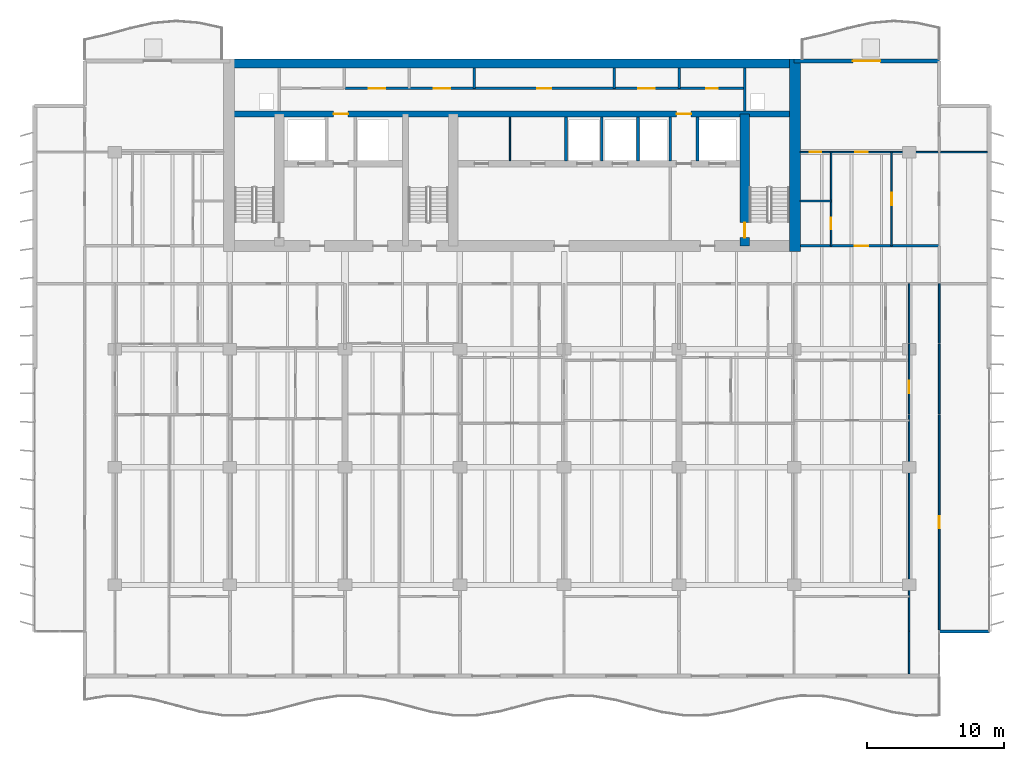
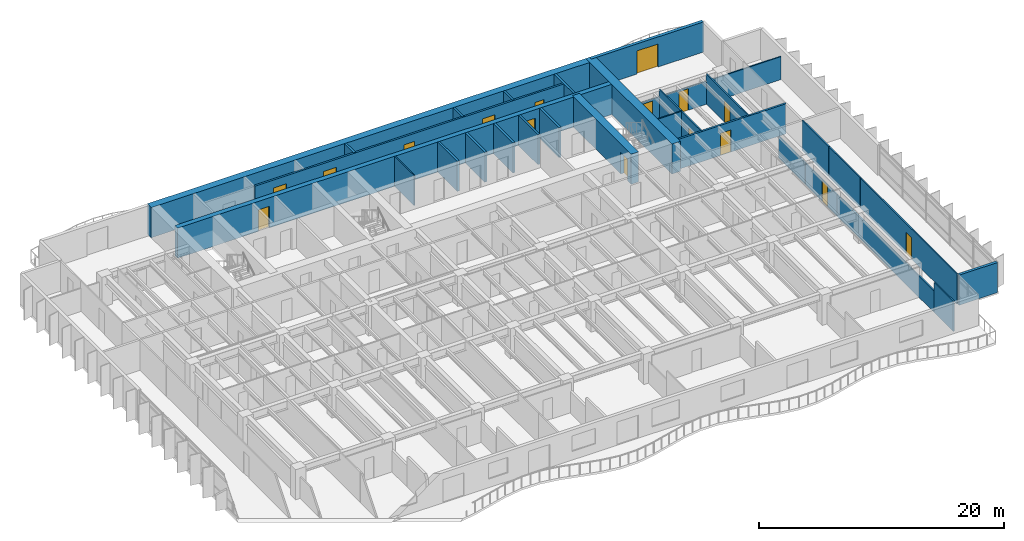
# One storey, part 11 of 16: 29 walls, 16 doors, 16 openings.
"""IFC4 building model written with IfcOpenShell, lengths in metres."""

from ifc_helpers import new_model, si_unit, direction, frame, frame_2d, origin, place, context, subcontext, project, spatial, rectangle, extrude, material, layer, layer_set, type_object, element, fill, save


model = new_model("IFC4")

# Units and contexts
model_context = context("Model", 3, precision=1e-05, world=origin(), true_north=direction((0.0, 1.0)))
body_context = subcontext(model_context, "Body", "Model", "MODEL_VIEW")
ifc_project = project(units=[si_unit("LENGTHUNIT", "METRE"), si_unit("AREAUNIT", "SQUARE_METRE"), si_unit("VOLUMEUNIT", "CUBIC_METRE"), si_unit("PLANEANGLEUNIT", "RADIAN"), si_unit("MASSUNIT", "GRAM", prefix="KILO")], contexts=[model_context])

# Site, building, storey
site_placement = place(None, origin())
site = spatial("IfcSite", under=ifc_project, at=site_placement, CompositionType="ELEMENT")
building_placement = place(site_placement, origin())
building = spatial("IfcBuilding", under=site, at=building_placement, Name="Caelmar Bay Residences", CompositionType="ELEMENT")
storey_placement = place(building_placement, frame((0.0, 0.0, 148.800048828125)))
storey = spatial("IfcBuildingStorey", under=building, at=storey_placement, Name="L41", CompositionType="ELEMENT", Elevation=148.800048828125)

# Wall, opening, door
ifc_material_1 = material(Name="Concrete f'c 55 MPa (8,000 psi)", Category="concrete")
ifc_layer_1 = layer(ifc_material_1, 0.699951171875)
ifc_layer_set_1 = layer_set([ifc_layer_1], Name="Concrete f'c 55 MPa (8,000 psi)")
wall_type_1 = type_object("IfcWallType", Name="SW-COR-700", PredefinedType="SHEAR", material=ifc_layer_set_1)
wall_1_placement = place(storey_placement, frame((55.89990234375, 36.949951171875, 0.0), z_axis=(0.0, 0.0, 1.0), x_axis=(0.0, 1.0, 0.0)))
wall_1 = element("IfcWall", 1, at=wall_1_placement, inside=storey, type_object=wall_type_1, Name="L41 Core Structural Web Wall ST2W", PredefinedType="SHEAR", context=body_context, shape_type="SweptSolid", body=[
    extrude(rectangle(XDim=9.625, YDim=0.699951171875, at=frame_2d((4.8125, 0.0))), origin(), (0.0, 0.0, 1.0), 3.0),
])
opening_1_placement = place(wall_1_placement, frame((0.60009765625, 0.0, 0.0)))
opening_1 = element("IfcOpeningElement", 2, at=opening_1_placement, cuts=wall_1, Name="Opening D-L41-110", PredefinedType="OPENING", context=body_context, shape_type="SweptSolid", body=[
    extrude(rectangle(XDim=1.10009765625, YDim=2.14990234375, at=frame_2d((0.550048828125, 1.074951171875))), frame((0.0, 0.35986328125, 0.0), z_axis=(0.0, -1.0, 0.0), x_axis=(1.0, 0.0, 0.0)), (0.0, 0.0, 1.0), 0.719970703125),
])
ifc_material_2 = material(Name="Fire-rated steel and walnut architectural door assembly", Category="steel")
ifc_layer_2 = layer(ifc_material_2, 0.050048828125)
ifc_layer_set_2 = layer_set([ifc_layer_2], Name="Fire-rated steel and walnut architectural door assembly")
door_type_1 = type_object("IfcDoorType", Name="D-STAIR-1100", OperationType="NOTDEFINED", PredefinedType="DOOR", material=ifc_layer_set_2)
door_1_placement = place(opening_1_placement, origin())
door_1 = element("IfcDoor", 3, at=door_1_placement, inside=storey, type_object=door_type_1, Name="L41 Firefighting Lobby East Door", OperationType="SINGLE_SWING_LEFT", OverallHeight=2.14990234375, OverallWidth=1.10009765625, PredefinedType="DOOR", context=body_context, shape_type="SweptSolid", body=[
    extrude(rectangle(XDim=1.10009765625, YDim=2.14990234375, at=frame_2d((0.550048828125, 1.074951171875))), frame((0.0, 0.02490234375, 0.0), z_axis=(0.0, -1.0, 0.0), x_axis=(1.0, 0.0, 0.0)), (0.0, 0.0, 1.0), 0.050048828125),
])
fill(opening_1, door_1)

# Walls
ifc_material_3 = material(Name="Concrete f'c 70 MPa (10,000 psi)", Category="concrete")
ifc_layer_3 = layer(ifc_material_3, 0.800048828125)
ifc_layer_set_3 = layer_set([ifc_layer_3], Name="Concrete f'c 70 MPa (10,000 psi)")
wall_type_2 = type_object("IfcWallType", Name="SW-COR-800", PredefinedType="SHEAR", material=ifc_layer_set_3)
wall_2_placement = place(storey_placement, frame((59.550048828125, 36.550048828125, 0.0), z_axis=(0.0, 0.0, 1.0), x_axis=(0.0, 1.0, 0.0)))
element("IfcWall", 4, at=wall_2_placement, inside=storey, type_object=wall_type_2, Name="L41 Rear Core East Shear Wall", PredefinedType="SHEAR", context=body_context, shape_type="SweptSolid", body=[
    extrude(rectangle(XDim=14.050048828125, YDim=0.800048828125, at=frame_2d((7.02490234375, 0.0))), origin(), (0.0, 0.0, 1.0), 3.0),
])
ifc_layer_4 = layer(ifc_material_1, 0.64990234375)
ifc_layer_set_4 = layer_set([ifc_layer_4], Name="Concrete f'c 55 MPa (8,000 psi)")
wall_type_3 = type_object("IfcWallType", Name="SW-CORN-650", PredefinedType="SHEAR", material=ifc_layer_set_4)
wall_3_placement = place(storey_placement, frame((17.85009765625, 50.27490234375, 0.0), z_axis=(0.0, 0.0, 1.0), x_axis=(1.0, 0.0, 0.0)))
element("IfcWall", 5, at=wall_3_placement, inside=storey, type_object=wall_type_3, Name="L41 Rear Core North Shear Wall", PredefinedType="SHEAR", context=body_context, shape_type="SweptSolid", body=[
    extrude(rectangle(XDim=42.099853515625, YDim=0.64990234375, at=frame_2d((21.0498046875, 0.0))), origin(), (0.0, 0.0, 1.0), 3.0),
])

# Wall, openings, doors
ifc_layer_5 = layer(ifc_material_3, 0.449951171875)
ifc_layer_set_5 = layer_set([ifc_layer_5], Name="Concrete f'c 70 MPa (10,000 psi)")
wall_type_4 = type_object("IfcWallType", Name="SW-WEB-450", PredefinedType="SHEAR", material=ifc_layer_set_5)
wall_4_placement = place(storey_placement, frame((18.25, 46.574951171875, 0.0), z_axis=(0.0, 0.0, 1.0), x_axis=(1.0, 0.0, 0.0)))
wall_4 = element("IfcWall", 6, at=wall_4_placement, inside=storey, type_object=wall_type_4, Name="L41 Core Structural Web Wall SRVS", PredefinedType="SHEAR", context=body_context, shape_type="SweptSolid", body=[
    extrude(rectangle(XDim=41.300048828125, YDim=0.449951171875, at=frame_2d((20.64990234375, 0.0))), origin(), (0.0, 0.0, 1.0), 3.0),
])
opening_2_placement = place(wall_4_placement, frame((7.625, 0.0, 0.0)))
opening_2 = element("IfcOpeningElement", 7, at=opening_2_placement, cuts=wall_4, Name="Opening D-L41-116", PredefinedType="OPENING", context=body_context, shape_type="SweptSolid", body=[
    extrude(rectangle(XDim=1.050048828125, YDim=2.14990234375, at=frame_2d((0.52490234375, 1.074951171875))), frame((0.0, 0.23486328125, 0.0), z_axis=(0.0, -1.0, 0.0), x_axis=(1.0, 0.0, 0.0)), (0.0, 0.0, 1.0), 0.469970703125),
])
opening_3_placement = place(wall_4_placement, frame((32.675048828125, 0.0, 0.0)))
opening_3 = element("IfcOpeningElement", 8, at=opening_3_placement, cuts=wall_4, Name="Opening D-L41-117", PredefinedType="OPENING", context=body_context, shape_type="SweptSolid", body=[
    extrude(rectangle(XDim=1.050048828125, YDim=2.14990234375, at=frame_2d((0.52490234375, 1.074951171875))), frame((0.0, 0.23486328125, 0.0), z_axis=(0.0, -1.0, 0.0), x_axis=(1.0, 0.0, 0.0)), (0.0, 0.0, 1.0), 0.469970703125),
])
ifc_layer_6 = layer(ifc_material_2, 0.050048828125)
ifc_layer_set_6 = layer_set([ifc_layer_6], Name="Fire-rated steel and walnut architectural door assembly")
door_type_2 = type_object("IfcDoorType", Name="D-FSAE-1050", OperationType="NOTDEFINED", PredefinedType="DOOR", material=ifc_layer_set_6)
door_2_placement = place(opening_2_placement, origin())
door_2 = element("IfcDoor", 9, at=door_2_placement, inside=storey, type_object=door_type_2, Name="L41 Core Service Corridor Door", OperationType="SINGLE_SWING_LEFT", OverallHeight=2.14990234375, OverallWidth=1.050048828125, PredefinedType="DOOR", context=body_context, shape_type="SweptSolid", body=[
    extrude(rectangle(XDim=1.050048828125, YDim=2.14990234375, at=frame_2d((0.52490234375, 1.074951171875))), frame((0.0, 0.02490234375, 0.0), z_axis=(0.0, -1.0, 0.0), x_axis=(1.0, 0.0, 0.0)), (0.0, 0.0, 1.0), 0.050048828125),
])
fill(opening_2, door_2)
door_3_placement = place(opening_3_placement, origin())
door_3 = element("IfcDoor", 10, at=door_3_placement, inside=storey, type_object=door_type_2, Name="L41 Core Service Corridor Door", OperationType="SINGLE_SWING_RIGHT", OverallHeight=2.14990234375, OverallWidth=1.050048828125, PredefinedType="DOOR", context=body_context, shape_type="SweptSolid", body=[
    extrude(rectangle(XDim=1.050048828125, YDim=2.14990234375, at=frame_2d((0.52490234375, 1.074951171875))), frame((0.0, 0.02490234375, 0.0), z_axis=(0.0, -1.0, 0.0), x_axis=(1.0, 0.0, 0.0)), (0.0, 0.0, 1.0), 0.050048828125),
])
fill(opening_3, door_3)

# Walls
ifc_material_4 = material(Name="Double-stud acoustic fire-rated gypsum partition 180 mm")
ifc_layer_7 = layer(ifc_material_4, 0.179931640625)
ifc_layer_set_7 = layer_set([ifc_layer_7], Name="Double-stud acoustic fire-rated gypsum partition 180 mm")
wall_type_5 = type_object("IfcWallType", Name="W-COR-200", PredefinedType="PARTITIONING", material=ifc_layer_set_7)
for number, where, z_axis, x_axis, name in (
    (11, (36.14990234375, 48.449951171875, 0.0), (0.0, 0.0, 1.0), (0.0, 1.0, 0.0), "L41 Partition Wall V045"),
    (12, (46.35009765625, 48.449951171875, 0.0), (0.0, 0.0, 1.0), (0.0, 1.0, 0.0), "L41 Partition Wall V055"),
    (13, (51.10009765625, 48.449951171875, 0.0), (0.0, 0.0, 1.0), (0.0, 1.0, 0.0), "L41 Partition Wall V065"),
):
    element("IfcWall", number, at=place(storey_placement, frame(where, z_axis=z_axis, x_axis=x_axis)), inside=storey, type_object=wall_type_5, Name=name, PredefinedType="PARTITIONING", context=body_context, shape_type="SweptSolid", body=[
        extrude(rectangle(XDim=1.505126953125, YDim=0.179931640625, at=frame_2d((0.75244140625, 0.0))), origin(), (0.0, 0.0, 1.0), 3.0),
    ])

# Wall, opening, door
wall_5_placement = place(storey_placement, frame((59.955078125, 36.949951171875, 0.0), z_axis=(0.0, 0.0, 1.0), x_axis=(1.0, 0.0, 0.0)))
wall_5 = element("IfcWall", 14, at=wall_5_placement, inside=storey, type_object=wall_type_5, Name="L41 Partition Wall H116", PredefinedType="PARTITIONING", context=body_context, shape_type="SweptSolid", body=[
    extrude(rectangle(XDim=10.14501953125, YDim=0.179931640625, at=frame_2d((5.072509765625, 0.0))), origin(), (0.0, 0.0, 1.0), 3.0),
])
opening_4_placement = place(wall_5_placement, frame((3.95703125, 0.0, 0.0)))
opening_4 = element("IfcOpeningElement", 15, at=opening_4_placement, cuts=wall_5, Name="Opening D-L41-176", PredefinedType="OPENING", context=body_context, shape_type="SweptSolid", body=[
    extrude(rectangle(XDim=1.0, YDim=2.199951171875, at=frame_2d((0.5, 1.10009765625))), frame((0.0, 0.099853515625, 0.0), z_axis=(0.0, -1.0, 0.0), x_axis=(1.0, 0.0, 0.0)), (0.0, 0.0, 1.0), 0.199951171875),
])
ifc_layer_8 = layer(ifc_material_2, 0.050048828125)
ifc_layer_set_8 = layer_set([ifc_layer_8], Name="Fire-rated steel and walnut architectural door assembly")
door_type_3 = type_object("IfcDoorType", Name="D-UNIT-1000", OperationType="NOTDEFINED", PredefinedType="DOOR", material=ifc_layer_set_8)
door_4_placement = place(opening_4_placement, origin())
door_4 = element("IfcDoor", 16, at=door_4_placement, inside=storey, type_object=door_type_3, Name="L41 Residence EA Kitchen Door", OperationType="SINGLE_SWING_LEFT", OverallHeight=2.199951171875, OverallWidth=1.0, PredefinedType="DOOR", context=body_context, shape_type="SweptSolid", body=[
    extrude(rectangle(XDim=1.0, YDim=2.199951171875, at=frame_2d((0.5, 1.10009765625))), frame((0.0, 0.02490234375, 0.0), z_axis=(0.0, -1.0, 0.0), x_axis=(1.0, 0.0, 0.0)), (0.0, 0.0, 1.0), 0.050048828125),
])
fill(opening_4, door_4)

# Wall, openings, doors
wall_6_placement = place(storey_placement, frame((26.699951171875, 48.449951171875, 0.0), z_axis=(0.0, 0.0, 1.0), x_axis=(1.0, 0.0, 0.0)))
wall_6 = element("IfcWall", 17, at=wall_6_placement, inside=storey, type_object=wall_type_5, Name="L41 Partition Wall H122", PredefinedType="PARTITIONING", context=body_context, shape_type="SweptSolid", body=[
    extrude(rectangle(XDim=29.199951171875, YDim=0.179931640625, at=frame_2d((14.60009765625, 0.0))), origin(), (0.0, 0.0, 1.0), 3.0),
])
opening_5_placement = place(wall_6_placement, frame((1.75, 0.0, 0.0)))
opening_5 = element("IfcOpeningElement", 18, at=opening_5_placement, cuts=wall_6, Name="Opening D-L41-119", PredefinedType="OPENING", context=body_context, shape_type="SweptSolid", body=[
    extrude(rectangle(XDim=1.199951171875, YDim=2.199951171875, at=frame_2d((0.60009765625, 1.10009765625))), frame((0.0, 0.099853515625, 0.0), z_axis=(0.0, -1.0, 0.0), x_axis=(1.0, 0.0, 0.0)), (0.0, 0.0, 1.0), 0.199951171875),
])
opening_6_placement = place(wall_6_placement, frame((6.47509765625, 0.0, 0.0)))
opening_6 = element("IfcOpeningElement", 19, at=opening_6_placement, cuts=wall_6, Name="Opening D-L41-120", PredefinedType="OPENING", context=body_context, shape_type="SweptSolid", body=[
    extrude(rectangle(XDim=1.199951171875, YDim=2.199951171875, at=frame_2d((0.60009765625, 1.10009765625))), frame((0.0, 0.099853515625, 0.0), z_axis=(0.0, -1.0, 0.0), x_axis=(1.0, 0.0, 0.0)), (0.0, 0.0, 1.0), 0.199951171875),
])
opening_7_placement = place(wall_6_placement, frame((14.050048828125, 0.0, 0.0)))
opening_7 = element("IfcOpeningElement", 20, at=opening_7_placement, cuts=wall_6, Name="Opening D-L41-121", PredefinedType="OPENING", context=body_context, shape_type="SweptSolid", body=[
    extrude(rectangle(XDim=1.0, YDim=2.199951171875, at=frame_2d((0.5, 1.10009765625))), frame((0.0, 0.099853515625, 0.0), z_axis=(0.0, -1.0, 0.0), x_axis=(1.0, 0.0, 0.0)), (0.0, 0.0, 1.0), 0.199951171875),
])
opening_8_placement = place(wall_6_placement, frame((21.425048828125, 0.0, 0.0)))
opening_8 = element("IfcOpeningElement", 21, at=opening_8_placement, cuts=wall_6, Name="Opening D-L41-122", PredefinedType="OPENING", context=body_context, shape_type="SweptSolid", body=[
    extrude(rectangle(XDim=1.199951171875, YDim=2.199951171875, at=frame_2d((0.60009765625, 1.10009765625))), frame((0.0, 0.099853515625, 0.0), z_axis=(0.0, -1.0, 0.0), x_axis=(1.0, 0.0, 0.0)), (0.0, 0.0, 1.0), 0.199951171875),
])
opening_9_placement = place(wall_6_placement, frame((26.375, 0.0, 0.0)))
opening_9 = element("IfcOpeningElement", 22, at=opening_9_placement, cuts=wall_6, Name="Opening D-L41-123", PredefinedType="OPENING", context=body_context, shape_type="SweptSolid", body=[
    extrude(rectangle(XDim=0.85009765625, YDim=2.10009765625, at=frame_2d((0.425048828125, 1.050048828125))), frame((0.0, 0.099853515625, 0.0), z_axis=(0.0, -1.0, 0.0), x_axis=(1.0, 0.0, 0.0)), (0.0, 0.0, 1.0), 0.199951171875),
])
ifc_layer_9 = layer(ifc_material_2, 0.050048828125)
ifc_layer_set_9 = layer_set([ifc_layer_9], Name="Fire-rated steel and walnut architectural door assembly")
door_type_4 = type_object("IfcDoorType", Name="D-CORE-850", OperationType="NOTDEFINED", PredefinedType="DOOR", material=ifc_layer_set_9)
door_5_placement = place(opening_9_placement, origin())
door_5 = element("IfcDoor", 23, at=door_5_placement, inside=storey, type_object=door_type_4, Name="L41 Staff Restroom Door", OperationType="SINGLE_SWING_RIGHT", OverallHeight=2.10009765625, OverallWidth=0.85009765625, PredefinedType="DOOR", context=body_context, shape_type="SweptSolid", body=[
    extrude(rectangle(XDim=0.85009765625, YDim=2.10009765625, at=frame_2d((0.425048828125, 1.050048828125))), frame((0.0, 0.02490234375, 0.0), z_axis=(0.0, -1.0, 0.0), x_axis=(1.0, 0.0, 0.0)), (0.0, 0.0, 1.0), 0.050048828125),
])
fill(opening_9, door_5)
ifc_layer_10 = layer(ifc_material_2, 0.050048828125)
ifc_layer_set_10 = layer_set([ifc_layer_10], Name="Fire-rated steel and walnut architectural door assembly")
door_type_5 = type_object("IfcDoorType", Name="D-PLANT-1200", OperationType="NOTDEFINED", PredefinedType="DOOR", material=ifc_layer_set_10)
door_6_placement = place(opening_5_placement, origin())
door_6 = element("IfcDoor", 24, at=door_6_placement, inside=storey, type_object=door_type_5, Name="L41 Water Meter Closet Door", OperationType="SINGLE_SWING_RIGHT", OverallHeight=2.199951171875, OverallWidth=1.199951171875, PredefinedType="DOOR", context=body_context, shape_type="SweptSolid", body=[
    extrude(rectangle(XDim=1.199951171875, YDim=2.199951171875, at=frame_2d((0.60009765625, 1.10009765625))), frame((0.0, 0.02490234375, 0.0), z_axis=(0.0, -1.0, 0.0), x_axis=(1.0, 0.0, 0.0)), (0.0, 0.0, 1.0), 0.050048828125),
])
fill(opening_5, door_6)
door_7_placement = place(opening_6_placement, origin())
door_7 = element("IfcDoor", 25, at=door_7_placement, inside=storey, type_object=door_type_5, Name="L41 Low-Voltage Data Closet Door", OperationType="SINGLE_SWING_LEFT", OverallHeight=2.199951171875, OverallWidth=1.199951171875, PredefinedType="DOOR", context=body_context, shape_type="SweptSolid", body=[
    extrude(rectangle(XDim=1.199951171875, YDim=2.199951171875, at=frame_2d((0.60009765625, 1.10009765625))), frame((0.0, 0.02490234375, 0.0), z_axis=(0.0, -1.0, 0.0), x_axis=(1.0, 0.0, 0.0)), (0.0, 0.0, 1.0), 0.050048828125),
])
fill(opening_6, door_7)
door_8_placement = place(opening_8_placement, origin())
door_8 = element("IfcDoor", 26, at=door_8_placement, inside=storey, type_object=door_type_5, Name="L41 Valet Trunk Closet Door", OperationType="SINGLE_SWING_LEFT", OverallHeight=2.199951171875, OverallWidth=1.199951171875, PredefinedType="DOOR", context=body_context, shape_type="SweptSolid", body=[
    extrude(rectangle(XDim=1.199951171875, YDim=2.199951171875, at=frame_2d((0.60009765625, 1.10009765625))), frame((0.0, 0.02490234375, 0.0), z_axis=(0.0, -1.0, 0.0), x_axis=(1.0, 0.0, 0.0)), (0.0, 0.0, 1.0), 0.050048828125),
])
fill(opening_8, door_8)
door_9_placement = place(opening_7_placement, origin())
door_9 = element("IfcDoor", 27, at=door_9_placement, inside=storey, type_object=door_type_3, Name="L41 Mail Sorting Office Door", OperationType="SINGLE_SWING_RIGHT", OverallHeight=2.199951171875, OverallWidth=1.0, PredefinedType="DOOR", context=body_context, shape_type="SweptSolid", body=[
    extrude(rectangle(XDim=1.0, YDim=2.199951171875, at=frame_2d((0.5, 1.10009765625))), frame((0.0, 0.02490234375, 0.0), z_axis=(0.0, -1.0, 0.0), x_axis=(1.0, 0.0, 0.0)), (0.0, 0.0, 1.0), 0.050048828125),
])
fill(opening_7, door_9)

# Wall
ifc_material_5 = material(Name="Precast concrete f'c 40 MPa (6,000 psi)", Category="concrete")
ifc_layer_11 = layer(ifc_material_5, 0.25)
ifc_layer_set_11 = layer_set([ifc_layer_11], Name="Precast concrete f'c 40 MPa (6,000 psi)")
wall_type_6 = type_object("IfcWallType", Name="W-EXT-250", PredefinedType="ELEMENTEDWALL", material=ifc_layer_set_11)
wall_7_placement = place(storey_placement, frame((70.10009765625, 8.800048828125, 0.0), z_axis=(0.0, 0.0, 1.0), x_axis=(1.0, 0.0, 0.0)))
element("IfcWall", 28, at=wall_7_placement, inside=storey, type_object=wall_type_6, Name="L41 SE Notch Return Wall", PredefinedType="ELEMENTEDWALL", context=body_context, shape_type="SweptSolid", body=[
    extrude(rectangle(XDim=3.64990234375, YDim=0.25, at=frame_2d((1.824951171875, 0.0))), origin(), (0.0, 0.0, 1.0), 3.0),
])

# Wall, opening, door
ifc_layer_12 = layer(ifc_material_5, 0.300048828125)
ifc_layer_set_12 = layer_set([ifc_layer_12], Name="Precast concrete f'c 40 MPa (6,000 psi)")
wall_type_7 = type_object("IfcWallType", Name="W-EXT-300", PredefinedType="STANDARD", material=ifc_layer_set_12)
wall_8_placement = place(storey_placement, frame((59.5, 50.449951171875, 0.0), z_axis=(0.0, 0.0, 1.0), x_axis=(1.0, 0.0, 0.0)))
wall_8 = element("IfcWall", 29, at=wall_8_placement, inside=storey, type_object=wall_type_7, Name="L41 North-East Wing Exterior Wall", PredefinedType="STANDARD", context=body_context, shape_type="SweptSolid", body=[
    extrude(rectangle(XDim=10.60009765625, YDim=0.300048828125, at=frame_2d((5.300048828125, 0.0))), origin(), (0.0, 0.0, 1.0), 3.0),
])
opening_10_placement = place(wall_8_placement, frame((4.300048828125, 0.0, 0.0)))
opening_10 = element("IfcOpeningElement", 30, at=opening_10_placement, cuts=wall_8, Name="Opening L41-BDNE", PredefinedType="OPENING", context=body_context, shape_type="SweptSolid", body=[
    extrude(rectangle(XDim=2.0, YDim=2.300048828125, at=frame_2d((1.0, 1.14990234375))), frame((0.0, 0.159912109375, 0.0), z_axis=(0.0, -1.0, 0.0), x_axis=(1.0, 0.0, 0.0)), (0.0, 0.0, 1.0), 0.320068359375),
])
ifc_material_6 = material(Name="Anodised bronze thermally broken sliding glass door", Category="glass")
ifc_layer_13 = layer(ifc_material_6, 0.050048828125)
ifc_layer_set_13 = layer_set([ifc_layer_13], Name="Anodised bronze thermally broken sliding glass door")
door_type_6 = type_object("IfcDoorType", Name="D-BAL-2000", OperationType="DOUBLE_DOOR_SLIDING", PredefinedType="DOOR", material=ifc_layer_set_13)
door_10_placement = place(opening_10_placement, origin())
door_10 = element("IfcDoor", 31, at=door_10_placement, inside=storey, type_object=door_type_6, Name="L41 North-East Balcony Door", OperationType="DOUBLE_DOOR_SLIDING", OverallHeight=2.300048828125, OverallWidth=2.0, PredefinedType="DOOR", context=body_context, shape_type="SweptSolid", body=[
    extrude(rectangle(XDim=2.0, YDim=2.300048828125, at=frame_2d((1.0, 1.14990234375))), frame((0.0, 0.02490234375, 0.0), z_axis=(0.0, -1.0, 0.0), x_axis=(1.0, 0.0, 0.0)), (0.0, 0.0, 1.0), 0.050048828125),
])
fill(opening_10, door_10)

# Walls
ifc_material_7 = material(Name="Fire-rated masonry and gypsum shaftliner assembly 200 mm", Category="masonry")
ifc_layer_14 = layer(ifc_material_7, 0.199951171875)
ifc_layer_set_14 = layer_set([ifc_layer_14], Name="Fire-rated masonry and gypsum shaftliner assembly 200 mm")
wall_type_8 = type_object("IfcWallType", Name="W-FSAE-200", PredefinedType="PARTITIONING", material=ifc_layer_set_14)
for number, where, z_axis, x_axis, name in (
    (32, (42.85009765625, 43.169921875, 0.0), (0.0, 0.0, 1.0), (0.0, 1.0, 0.0), "L41 Partition Wall V053"),
    (33, (45.449951171875, 43.169921875, 0.0), (0.0, 0.0, 1.0), (0.0, 1.0, 0.0), "L41 Partition Wall V054"),
    (34, (48.10009765625, 43.169921875, 0.0), (0.0, 0.0, 1.0), (0.0, 1.0, 0.0), "L41 Partition Wall V056"),
    (35, (50.449951171875, 43.169921875, 0.0), (0.0, 0.0, 1.0), (0.0, 1.0, 0.0), "L41 Partition Wall V060"),
    (36, (52.449951171875, 43.169921875, 0.0), (0.0, 0.0, 1.0), (0.0, 1.0, 0.0), "L41 Partition Wall V066"),
):
    element("IfcWall", number, at=place(storey_placement, frame(where, z_axis=z_axis, x_axis=x_axis)), inside=storey, type_object=wall_type_8, Name=name, PredefinedType="PARTITIONING", context=body_context, shape_type="SweptSolid", body=[
        extrude(rectangle(XDim=3.18505859375, YDim=0.199951171875, at=frame_2d((1.592529296875, 0.0))), origin(), (0.0, 0.0, 1.0), 3.0),
    ])
wall_9_placement = place(storey_placement, frame((55.89990234375, 46.794921875, 0.0), z_axis=(0.0, 0.0, 1.0), x_axis=(0.0, 1.0, 0.0)))
element("IfcWall", 37, at=wall_9_placement, inside=storey, type_object=wall_type_8, Name="L41 Partition Wall V069", PredefinedType="PARTITIONING", context=body_context, shape_type="SweptSolid", body=[
    extrude(rectangle(XDim=3.16015625, YDim=0.199951171875, at=frame_2d((1.580078125, 0.0))), origin(), (0.0, 0.0, 1.0), 3.0),
])
ifc_material_8 = material(Name="Anodised bronze framed acoustic sliding study partition 100 mm")
ifc_layer_15 = layer(ifc_material_8, 0.10009765625)
ifc_layer_set_15 = layer_set([ifc_layer_15], Name="Anodised bronze framed acoustic sliding study partition 100 mm")
wall_type_9 = type_object("IfcWallType", Name="W-MOV-100", PredefinedType="MOVABLE", material=ifc_layer_set_15)
wall_10_placement = place(storey_placement, frame((38.75, 43.169921875, 0.0), z_axis=(0.0, 0.0, 1.0), x_axis=(0.0, 1.0, 0.0)))
element("IfcWall", 38, at=wall_10_placement, inside=storey, type_object=wall_type_9, Name="L41 Partition Wall V046", PredefinedType="MOVABLE", context=body_context, shape_type="SweptSolid", body=[
    extrude(rectangle(XDim=3.18505859375, YDim=0.10009765625, at=frame_2d((1.592529296875, 0.0))), origin(), (0.0, 0.0, 1.0), 3.0),
])

# Wall, opening, door
ifc_material_9 = material(Name="Acoustic metal-stud gypsum partition 120 mm")
ifc_layer_16 = layer(ifc_material_9, 0.1201171875)
ifc_layer_set_16 = layer_set([ifc_layer_16], Name="Acoustic metal-stud gypsum partition 120 mm")
wall_type_10 = type_object("IfcWallType", Name="W-PRT-120", PredefinedType="PARTITIONING", material=ifc_layer_set_16)
wall_11_placement = place(storey_placement, frame((62.199951171875, 36.949951171875, 0.0), z_axis=(0.0, 0.0, 1.0), x_axis=(0.0, 1.0, 0.0)))
wall_11 = element("IfcWall", 39, at=wall_11_placement, inside=storey, type_object=wall_type_10, Name="L41 Partition Wall V076", PredefinedType="PARTITIONING", context=body_context, shape_type="SweptSolid", body=[
    extrude(rectangle(XDim=6.85009765625, YDim=0.1201171875, at=frame_2d((3.425048828125, 0.0))), origin(), (0.0, 0.0, 1.0), 3.0),
])
opening_11_placement = place(wall_11_placement, frame((1.218994140625, 0.0, 0.0)))
opening_11 = element("IfcOpeningElement", 40, at=opening_11_placement, cuts=wall_11, Name="Opening D-L41-178", PredefinedType="OPENING", context=body_context, shape_type="SweptSolid", body=[
    extrude(rectangle(XDim=0.85009765625, YDim=2.10009765625, at=frame_2d((0.425048828125, 1.050048828125))), frame((0.0, 0.070068359375, 0.0), z_axis=(0.0, -1.0, 0.0), x_axis=(1.0, 0.0, 0.0)), (0.0, 0.0, 1.0), 0.14013671875),
])
ifc_material_10 = material(Name="Solid walnut timber interior door leaf and frame", Category="wood")
ifc_layer_17 = layer(ifc_material_10, 0.050048828125)
ifc_layer_set_17 = layer_set([ifc_layer_17], Name="Solid walnut timber interior door leaf and frame")
door_type_7 = type_object("IfcDoorType", Name="D-BATH-850", OperationType="NOTDEFINED", PredefinedType="DOOR", material=ifc_layer_set_17)
door_11_placement = place(opening_11_placement, origin())
door_11 = element("IfcDoor", 41, at=door_11_placement, inside=storey, type_object=door_type_7, Name="L41 Residence EA Walk-In Closet Door", OperationType="SINGLE_SWING_LEFT", OverallHeight=2.10009765625, OverallWidth=0.85009765625, PredefinedType="DOOR", context=body_context, shape_type="SweptSolid", body=[
    extrude(rectangle(XDim=0.85009765625, YDim=2.10009765625, at=frame_2d((0.425048828125, 1.050048828125))), frame((0.0, 0.02490234375, 0.0), z_axis=(0.0, -1.0, 0.0), x_axis=(1.0, 0.0, 0.0)), (0.0, 0.0, 1.0), 0.050048828125),
])
fill(opening_11, door_11)

wall_12_placement = place(storey_placement, frame((66.6240234375, 36.949951171875, 0.0), z_axis=(0.0, 0.0, 1.0), x_axis=(0.0, 1.0, 0.0)))
wall_12 = element("IfcWall", 42, at=wall_12_placement, inside=storey, type_object=wall_type_10, Name="L41 Partition Wall V079", PredefinedType="PARTITIONING", context=body_context, shape_type="SweptSolid", body=[
    extrude(rectangle(XDim=6.85009765625, YDim=0.1201171875, at=frame_2d((3.425048828125, 0.0))), origin(), (0.0, 0.0, 1.0), 3.0),
])
opening_12_placement = place(wall_12_placement, frame((2.97509765625, 0.0, 0.0)))
opening_12 = element("IfcOpeningElement", 43, at=opening_12_placement, cuts=wall_12, Name="Opening D-L41-175", PredefinedType="OPENING", context=body_context, shape_type="SweptSolid", body=[
    extrude(rectangle(XDim=0.89990234375, YDim=2.14990234375, at=frame_2d((0.449951171875, 1.074951171875))), frame((0.0, 0.070068359375, 0.0), z_axis=(0.0, -1.0, 0.0), x_axis=(1.0, 0.0, 0.0)), (0.0, 0.0, 1.0), 0.14013671875),
])
ifc_layer_18 = layer(ifc_material_10, 0.050048828125)
ifc_layer_set_18 = layer_set([ifc_layer_18], Name="Solid walnut timber interior door leaf and frame")
door_type_8 = type_object("IfcDoorType", Name="D-ROOM-900", OperationType="NOTDEFINED", PredefinedType="DOOR", material=ifc_layer_set_18)
door_12_placement = place(opening_12_placement, origin())
door_12 = element("IfcDoor", 44, at=door_12_placement, inside=storey, type_object=door_type_8, Name="L41 Residence EA Dining Room Door", OperationType="SINGLE_SWING_RIGHT", OverallHeight=2.14990234375, OverallWidth=0.89990234375, PredefinedType="DOOR", context=body_context, shape_type="SweptSolid", body=[
    extrude(rectangle(XDim=0.89990234375, YDim=2.14990234375, at=frame_2d((0.449951171875, 1.074951171875))), frame((0.0, 0.02490234375, 0.0), z_axis=(0.0, -1.0, 0.0), x_axis=(1.0, 0.0, 0.0)), (0.0, 0.0, 1.0), 0.050048828125),
])
fill(opening_12, door_12)

# Walls
wall_13_placement = place(storey_placement, frame((67.89990234375, 5.695068359375, 0.0), z_axis=(0.0, 0.0, 1.0), x_axis=(0.0, 1.0, 0.0)))
element("IfcWall", 45, at=wall_13_placement, inside=storey, type_object=wall_type_10, Name="L41 Partition Wall V080", PredefinedType="PARTITIONING", context=body_context, shape_type="SweptSolid", body=[
    extrude(rectangle(XDim=3.10498046875, YDim=0.1201171875, at=frame_2d((1.552490234375, 0.0))), origin(), (0.0, 0.0, 1.0), 3.0),
])
wall_14_placement = place(storey_placement, frame((67.89990234375, 8.840087890625, 0.0), z_axis=(0.0, 0.0, 1.0), x_axis=(0.0, 1.0, 0.0)))
element("IfcWall", 46, at=wall_14_placement, inside=storey, type_object=wall_type_10, Name="L41 Partition Wall V081", PredefinedType="PARTITIONING", context=body_context, shape_type="SweptSolid", body=[
    extrude(rectangle(XDim=15.789794921875, YDim=0.1201171875, at=frame_2d((7.89501953125, 0.0))), origin(), (0.0, 0.0, 1.0), 2.1240234375),
])

# Wall, opening, door
wall_15_placement = place(storey_placement, frame((67.89990234375, 24.68994140625, 0.0), z_axis=(0.0, 0.0, 1.0), x_axis=(0.0, 1.0, 0.0)))
wall_15 = element("IfcWall", 47, at=wall_15_placement, inside=storey, type_object=wall_type_10, Name="L41 Partition Wall V082", PredefinedType="PARTITIONING", context=body_context, shape_type="SweptSolid", body=[
    extrude(rectangle(XDim=5.090087890625, YDim=0.1201171875, at=frame_2d((2.544921875, 0.0))), origin(), (0.0, 0.0, 1.0), 2.1240234375),
])
opening_13_placement = place(wall_15_placement, frame((1.5048828125, 0.0, 0.0)))
opening_13 = element("IfcOpeningElement", 48, at=opening_13_placement, cuts=wall_15, Name="Opening D-L41-165", PredefinedType="OPENING", context=body_context, shape_type="SweptSolid", body=[
    extrude(rectangle(XDim=0.89990234375, YDim=2.073974609375, at=frame_2d((0.449951171875, 1.037109375))), frame((0.0, 0.070068359375, 0.0), z_axis=(0.0, -1.0, 0.0), x_axis=(1.0, 0.0, 0.0)), (0.0, 0.0, 1.0), 0.14013671875),
])
door_13_placement = place(opening_13_placement, origin())
door_13 = element("IfcDoor", 49, at=door_13_placement, inside=storey, type_object=door_type_8, Name="L41 Residence 05 East Apartment Hall Door", OperationType="SINGLE_SWING_RIGHT", OverallHeight=2.073974609375, OverallWidth=0.89990234375, PredefinedType="DOOR", context=body_context, shape_type="SweptSolid", body=[
    extrude(rectangle(XDim=0.89990234375, YDim=2.073974609375, at=frame_2d((0.449951171875, 1.037109375))), frame((0.0, 0.02490234375, 0.0), z_axis=(0.0, -1.0, 0.0), x_axis=(1.0, 0.0, 0.0)), (0.0, 0.0, 1.0), 0.050048828125),
])
fill(opening_13, door_13)

# Wall
wall_16_placement = place(storey_placement, frame((67.89990234375, 29.840087890625, 0.0), z_axis=(0.0, 0.0, 1.0), x_axis=(0.0, 1.0, 0.0)))
element("IfcWall", 50, at=wall_16_placement, inside=storey, type_object=wall_type_10, Name="L41 Partition Wall V083", PredefinedType="PARTITIONING", context=body_context, shape_type="SweptSolid", body=[
    extrude(rectangle(XDim=4.35986328125, YDim=0.1201171875, at=frame_2d((2.179931640625, 0.0))), origin(), (0.0, 0.0, 1.0), 2.1240234375),
])

# Wall, opening, door
wall_17_placement = place(storey_placement, frame((70.10009765625, 8.919921875, 0.0), z_axis=(0.0, 0.0, 1.0), x_axis=(0.0, 1.0, 0.0)))
wall_17 = element("IfcWall", 51, at=wall_17_placement, inside=storey, type_object=wall_type_10, Name="L41 Partition Wall V084", PredefinedType="PARTITIONING", context=body_context, shape_type="SweptSolid", body=[
    extrude(rectangle(XDim=15.7099609375, YDim=0.1201171875, at=frame_2d((7.85498046875, 0.0))), origin(), (0.0, 0.0, 1.0), 3.0),
])
opening_14_placement = place(wall_17_placement, frame((7.405029296875, 0.0, 0.0)))
opening_14 = element("IfcOpeningElement", 52, at=opening_14_placement, cuts=wall_17, Name="Opening D-L41-167", PredefinedType="OPENING", context=body_context, shape_type="SweptSolid", body=[
    extrude(rectangle(XDim=0.89990234375, YDim=2.14990234375, at=frame_2d((0.449951171875, 1.074951171875))), frame((0.0, 0.070068359375, 0.0), z_axis=(0.0, -1.0, 0.0), x_axis=(1.0, 0.0, 0.0)), (0.0, 0.0, 1.0), 0.14013671875),
])
door_14_placement = place(opening_14_placement, origin())
door_14 = element("IfcDoor", 53, at=door_14_placement, inside=storey, type_object=door_type_8, Name="L41 Residence 05 Penthouse East Salon Door", OperationType="SINGLE_SWING_RIGHT", OverallHeight=2.14990234375, OverallWidth=0.89990234375, PredefinedType="DOOR", context=body_context, shape_type="SweptSolid", body=[
    extrude(rectangle(XDim=0.89990234375, YDim=2.14990234375, at=frame_2d((0.449951171875, 1.074951171875))), frame((0.0, 0.02490234375, 0.0), z_axis=(0.0, -1.0, 0.0), x_axis=(1.0, 0.0, 0.0)), (0.0, 0.0, 1.0), 0.050048828125),
])
fill(opening_14, door_14)

# Walls
wall_18_placement = place(storey_placement, frame((70.10009765625, 24.68994140625, 0.0), z_axis=(0.0, 0.0, 1.0), x_axis=(0.0, 1.0, 0.0)))
element("IfcWall", 54, at=wall_18_placement, inside=storey, type_object=wall_type_10, Name="L41 Partition Wall V085", PredefinedType="PARTITIONING", context=body_context, shape_type="SweptSolid", body=[
    extrude(rectangle(XDim=5.090087890625, YDim=0.1201171875, at=frame_2d((2.544921875, 0.0))), origin(), (0.0, 0.0, 1.0), 3.0),
])
wall_19_placement = place(storey_placement, frame((70.10009765625, 29.840087890625, 0.0), z_axis=(0.0, 0.0, 1.0), x_axis=(0.0, 1.0, 0.0)))
element("IfcWall", 55, at=wall_19_placement, inside=storey, type_object=wall_type_10, Name="L41 Partition Wall V086", PredefinedType="PARTITIONING", context=body_context, shape_type="SweptSolid", body=[
    extrude(rectangle(XDim=4.35986328125, YDim=0.1201171875, at=frame_2d((2.179931640625, 0.0))), origin(), (0.0, 0.0, 1.0), 3.0),
])
wall_20_placement = place(storey_placement, frame((59.945068359375, 40.238037109375, 0.0), z_axis=(0.0, 0.0, 1.0), x_axis=(1.0, 0.0, 0.0)))
element("IfcWall", 56, at=wall_20_placement, inside=storey, type_object=wall_type_10, Name="L41 Partition Wall H118", PredefinedType="PARTITIONING", context=body_context, shape_type="SweptSolid", body=[
    extrude(rectangle(XDim=2.2548828125, YDim=0.1201171875, at=frame_2d((1.12744140625, 0.0))), origin(), (0.0, 0.0, 1.0), 3.0),
])

# Wall, openings, doors
wall_21_placement = place(storey_placement, frame((59.945068359375, 43.800048828125, 0.0), z_axis=(0.0, 0.0, 1.0), x_axis=(1.0, 0.0, 0.0)))
wall_21 = element("IfcWall", 57, at=wall_21_placement, inside=storey, type_object=wall_type_10, Name="L41 Partition Wall H120", PredefinedType="PARTITIONING", context=body_context, shape_type="SweptSolid", body=[
    extrude(rectangle(XDim=13.659912109375, YDim=0.1201171875, at=frame_2d((6.830078125, 0.0))), origin(), (0.0, 0.0, 1.0), 2.2890625),
])
opening_15_placement = place(wall_21_placement, frame((4.01708984375, 0.0, 0.0)))
opening_15 = element("IfcOpeningElement", 58, at=opening_15_placement, cuts=wall_21, Name="Opening D-L41-177", PredefinedType="OPENING", context=body_context, shape_type="SweptSolid", body=[
    extrude(rectangle(XDim=0.89990234375, YDim=2.14990234375, at=frame_2d((0.449951171875, 1.074951171875))), frame((0.0, 0.070068359375, 0.0), z_axis=(0.0, -1.0, 0.0), x_axis=(1.0, 0.0, 0.0)), (0.0, 0.0, 1.0), 0.14013671875),
])
opening_16_placement = place(wall_21_placement, frame((0.702392578125, 0.0, 0.0)))
opening_16 = element("IfcOpeningElement", 59, at=opening_16_placement, cuts=wall_21, Name="Opening D-L41-179", PredefinedType="OPENING", context=body_context, shape_type="SweptSolid", body=[
    extrude(rectangle(XDim=0.85009765625, YDim=2.10009765625, at=frame_2d((0.425048828125, 1.050048828125))), frame((0.0, 0.070068359375, 0.0), z_axis=(0.0, -1.0, 0.0), x_axis=(1.0, 0.0, 0.0)), (0.0, 0.0, 1.0), 0.14013671875),
])
door_15_placement = place(opening_16_placement, origin())
door_15 = element("IfcDoor", 60, at=door_15_placement, inside=storey, type_object=door_type_7, Name="L41 Residence EA Bathroom Door", OperationType="SINGLE_SWING_RIGHT", OverallHeight=2.10009765625, OverallWidth=0.85009765625, PredefinedType="DOOR", context=body_context, shape_type="SweptSolid", body=[
    extrude(rectangle(XDim=0.85009765625, YDim=2.10009765625, at=frame_2d((0.425048828125, 1.050048828125))), frame((0.0, 0.02490234375, 0.0), z_axis=(0.0, -1.0, 0.0), x_axis=(1.0, 0.0, 0.0)), (0.0, 0.0, 1.0), 0.050048828125),
])
fill(opening_16, door_15)
door_16_placement = place(opening_15_placement, origin())
door_16 = element("IfcDoor", 61, at=door_16_placement, inside=storey, type_object=door_type_8, Name="L41 Residence EA Studio Living and Sleeping Room Door", OperationType="SINGLE_SWING_RIGHT", OverallHeight=2.14990234375, OverallWidth=0.89990234375, PredefinedType="DOOR", context=body_context, shape_type="SweptSolid", body=[
    extrude(rectangle(XDim=0.89990234375, YDim=2.14990234375, at=frame_2d((0.449951171875, 1.074951171875))), frame((0.0, 0.02490234375, 0.0), z_axis=(0.0, -1.0, 0.0), x_axis=(1.0, 0.0, 0.0)), (0.0, 0.0, 1.0), 0.050048828125),
])
fill(opening_15, door_16)

save(model, "model.ifc")
